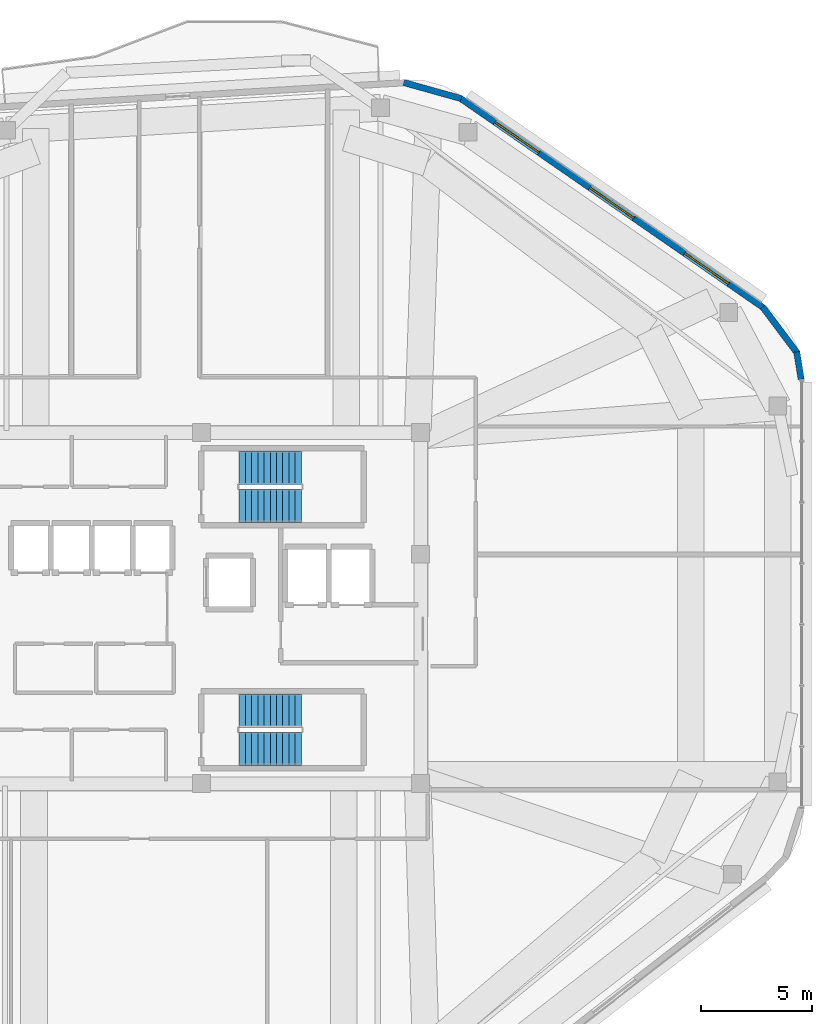
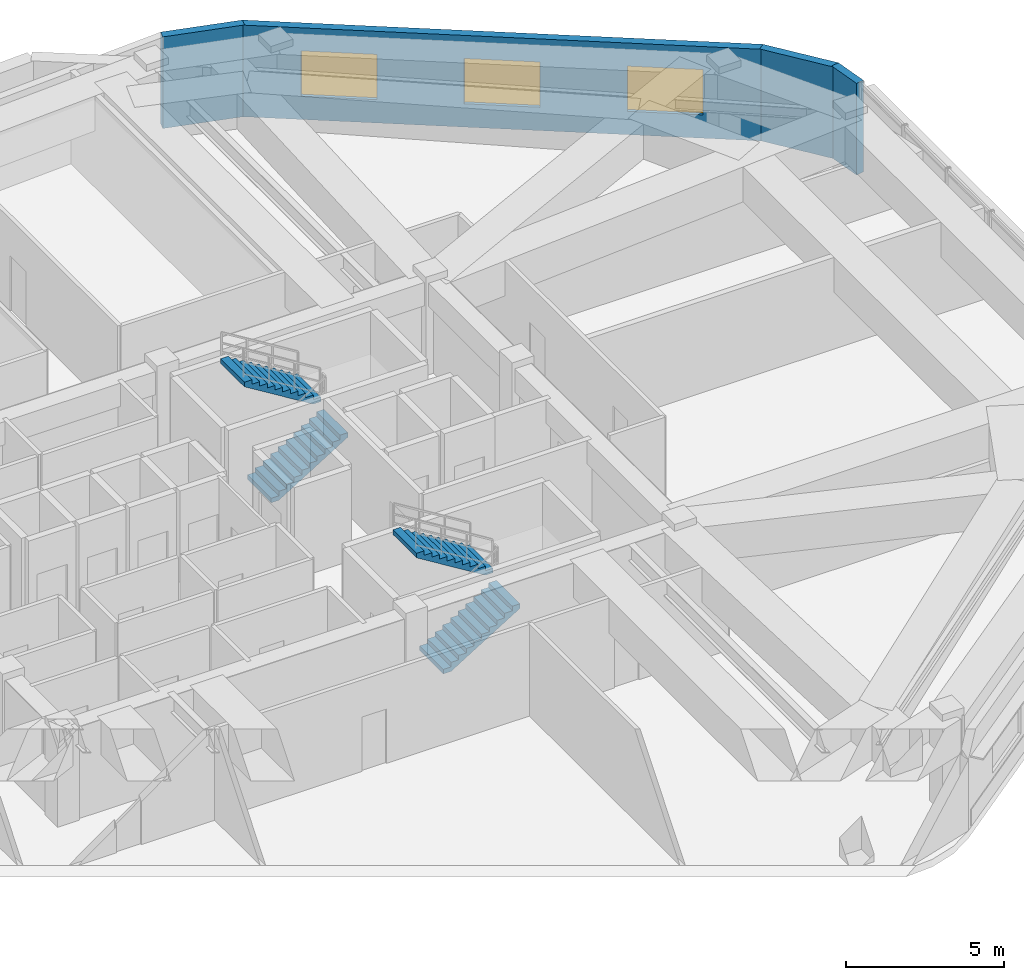
# One storey, part 12 of 15: 4 stair flights, 4 walls, 3 windows, 3 openings, 2 elements without a shape of their own.
"""IFC4 building model written with IfcOpenShell, lengths in metres."""

from ifc_helpers import new_model, si_unit, direction, frame, frame_2d, origin, place, context, subcontext, project, spatial, polyline, rectangle, outline, extrude, material, layer, layer_set, type_object, element, fill, aggregate, save


model = new_model("IFC4")

# Units and contexts
model_context = context("Model", 3, precision=1e-05, world=origin(), true_north=direction((0.0, 1.0)))
body_context = subcontext(model_context, "Body", "Model", "MODEL_VIEW")
ifc_project = project(units=[si_unit("LENGTHUNIT", "METRE"), si_unit("AREAUNIT", "SQUARE_METRE"), si_unit("VOLUMEUNIT", "CUBIC_METRE"), si_unit("PLANEANGLEUNIT", "RADIAN"), si_unit("MASSUNIT", "GRAM", prefix="KILO")], contexts=[model_context])

# Site, building, storey
site_placement = place(None, origin())
site = spatial("IfcSite", under=ifc_project, at=site_placement, CompositionType="ELEMENT")
building_placement = place(site_placement, origin())
building = spatial("IfcBuilding", under=site, at=building_placement, Name="Zulverin Broadcast Headquarters", CompositionType="ELEMENT")
storey_placement = place(building_placement, frame((0.0, 0.0, 270.60009765625)))
storey = spatial("IfcBuildingStorey", under=building, at=storey_placement, Name="L69", CompositionType="ELEMENT", Elevation=270.60009765625)

# Wall, openings, windows
ifc_material_1 = material(Name="Insulated pale-metal clad concrete spandrel C40/50", Category="concrete")
ifc_layer = layer(ifc_material_1, 0.280029296875, Name="Insulated pale-metal clad concrete spandrel C40/50", Category="concrete")
ifc_layer_set = layer_set([ifc_layer], Name="Insulated pale-metal clad concrete spandrel C40/50")
wall_type = type_object("IfcWallType", Name="WL-EXT-280", PredefinedType="STANDARD", material=ifc_layer_set)
wall_1_placement = place(storey_placement, frame((63.6513671875, 38.683349609375, 0.0), z_axis=(0.0, 0.0, 1.0), x_axis=(-0.822655095, 0.568540759022, 0.0)))
wall_1 = element("IfcWall", 1, at=wall_1_placement, inside=storey, type_object=wall_type, Name="L69 Pale-Metal Clad Spandrel Wall 4", PredefinedType="STANDARD", context=body_context, shape_type="SweptSolid", body=[
    extrude(rectangle(XDim=16.52783203125, YDim=0.280029296875, at=frame_2d((8.263916015625, 0.0))), origin(), (0.0, 0.0, 1.0), 3.539794921875),
])
opening_1_placement = place(wall_1_placement, frame((1.887939453125, 0.0, 0.89990234375)))
opening_1 = element("IfcOpeningElement", 2, at=opening_1_placement, cuts=wall_1, Name="Opening W-L69-E41", PredefinedType="OPENING", context=body_context, shape_type="SweptSolid", body=[
    extrude(rectangle(XDim=2.39990234375, YDim=1.75, at=frame_2d((1.199951171875, 0.875))), frame((0.0, 0.14990234375, 0.0), z_axis=(0.0, -1.0, 0.0), x_axis=(1.0, 0.0, 0.0)), (0.0, 0.0, 1.0), 0.300048828125),
])
opening_2_placement = place(wall_1_placement, frame((7.06396484375, 0.0, 0.89990234375)))
opening_2 = element("IfcOpeningElement", 3, at=opening_2_placement, cuts=wall_1, Name="Opening W-L69-E42", PredefinedType="OPENING", context=body_context, shape_type="SweptSolid", body=[
    extrude(rectangle(XDim=2.39990234375, YDim=1.75, at=frame_2d((1.199951171875, 0.875))), frame((0.0, 0.14990234375, 0.0), z_axis=(0.0, -1.0, 0.0), x_axis=(1.0, 0.0, 0.0)), (0.0, 0.0, 1.0), 0.300048828125),
])
opening_3_placement = place(wall_1_placement, frame((12.239990234375, 0.0, 0.89990234375)))
opening_3 = element("IfcOpeningElement", 4, at=opening_3_placement, cuts=wall_1, Name="Opening W-L69-E43", PredefinedType="OPENING", context=body_context, shape_type="SweptSolid", body=[
    extrude(rectangle(XDim=2.39990234375, YDim=1.75, at=frame_2d((1.199951171875, 0.875))), frame((0.0, 0.14990234375, 0.0), z_axis=(0.0, -1.0, 0.0), x_axis=(1.0, 0.0, 0.0)), (0.0, 0.0, 1.0), 0.300048828125),
])
ifc_material_2 = material(Name="Pale anodized aluminium frame with solar-control low-E double glazing", Category="aluminium")
window_type = type_object("IfcWindowType", Name="WIN-RIB-2400", PartitioningType="SINGLE_PANEL", PredefinedType="WINDOW", material=ifc_material_2)
window_1_placement = place(opening_1_placement, origin())
window_1 = element("IfcWindow", 5, at=window_1_placement, inside=storey, type_object=window_type, Name="L69 Ribbon Glazing Window 4 1", OverallHeight=1.75, OverallWidth=2.39990234375, PartitioningType="SINGLE_PANEL", PredefinedType="WINDOW", context=body_context, shape_type="SweptSolid", body=[
    extrude(rectangle(XDim=2.39990234375, YDim=1.75, at=frame_2d((1.199951171875, 0.875))), frame((0.0, 0.030029296875, 0.0), z_axis=(0.0, -1.0, 0.0), x_axis=(1.0, 0.0, 0.0)), (0.0, 0.0, 1.0), 0.06005859375),
])
fill(opening_1, window_1)
window_2_placement = place(opening_2_placement, origin())
window_2 = element("IfcWindow", 6, at=window_2_placement, inside=storey, type_object=window_type, Name="L69 Ribbon Glazing Window 4 2", OverallHeight=1.75, OverallWidth=2.39990234375, PartitioningType="SINGLE_PANEL", PredefinedType="WINDOW", context=body_context, shape_type="SweptSolid", body=[
    extrude(rectangle(XDim=2.39990234375, YDim=1.75, at=frame_2d((1.199951171875, 0.875))), frame((0.0, 0.030029296875, 0.0), z_axis=(0.0, -1.0, 0.0), x_axis=(1.0, 0.0, 0.0)), (0.0, 0.0, 1.0), 0.06005859375),
])
fill(opening_2, window_2)
window_3_placement = place(opening_3_placement, origin())
window_3 = element("IfcWindow", 7, at=window_3_placement, inside=storey, type_object=window_type, Name="L69 Ribbon Glazing Window 4 3", OverallHeight=1.75, OverallWidth=2.39990234375, PartitioningType="SINGLE_PANEL", PredefinedType="WINDOW", context=body_context, shape_type="SweptSolid", body=[
    extrude(rectangle(XDim=2.39990234375, YDim=1.75, at=frame_2d((1.199951171875, 0.875))), frame((0.0, 0.030029296875, 0.0), z_axis=(0.0, -1.0, 0.0), x_axis=(1.0, 0.0, 0.0)), (0.0, 0.0, 1.0), 0.06005859375),
])
fill(opening_3, window_3)

# Walls
wall_2_placement = place(storey_placement, frame((65.351318359375, 35.46728515625, 0.0), z_axis=(0.0, 0.0, 1.0), x_axis=(-0.160184333482, 0.987087118398, 0.0)))
element("IfcWall", 8, at=wall_2_placement, inside=storey, type_object=wall_type, Name="L69 Wind-Shaped Corner Spandrel Wall 3-1", PredefinedType="STANDARD", context=body_context, shape_type="SweptSolid", body=[
    extrude(rectangle(XDim=1.249755859375, YDim=0.280029296875, at=frame_2d((0.625, 0.0))), origin(), (0.0, 0.0, 1.0), 3.539794921875),
])
wall_3_placement = place(storey_placement, frame((65.17724609375, 36.63916015625, 0.0), z_axis=(0.0, 0.0, 1.0), x_axis=(-0.600436386467, 0.799672524104, 0.0)))
element("IfcWall", 9, at=wall_3_placement, inside=storey, type_object=wall_type, Name="L69 Wind-Shaped Corner Spandrel Wall 3-2", PredefinedType="STANDARD", context=body_context, shape_type="SweptSolid", body=[
    extrude(rectangle(XDim=2.595458984375, YDim=0.280029296875, at=frame_2d((1.2978515625, 0.0))), origin(), (0.0, 0.0, 1.0), 3.539794921875),
])
wall_4_placement = place(storey_placement, frame((50.096435546875, 48.060546875, 0.0), z_axis=(0.0, 0.0, 1.0), x_axis=(-0.963108887091, 0.269112005688, 0.0)))
element("IfcWall", 10, at=wall_4_placement, inside=storey, type_object=wall_type, Name="L69 Wind-Shaped Corner Spandrel Wall 4-1", PredefinedType="STANDARD", context=body_context, shape_type="SweptSolid", body=[
    extrude(rectangle(XDim=2.67529296875, YDim=0.280029296875, at=frame_2d((1.337646484375, 0.0))), origin(), (0.0, 0.0, 1.0), 3.539794921875),
])

# Stair, stair flights
ifc_material_3 = material(Name="Concrete C40/50", Category="concrete")
stair_type = type_object("IfcStairType", Name="ST-CORE-1500", PredefinedType="HALF_TURN_STAIR", material=ifc_material_3)
stair_1_placement = place(storey_placement, origin())
stair_1 = element("IfcStair", 11, at=stair_1_placement, inside=storey, type_object=stair_type, Name="L69 Core Exit Stair ST-1", PredefinedType="HALF_TURN_STAIR")
stair_flight_type = type_object("IfcStairFlightType", Name="SF-CORE-1500", PredefinedType="STRAIGHT", material=ifc_material_3)
stair_flight_1_placement = place(storey_placement, frame((40.1298828125, 29.800048828125, 0.0), z_axis=(0.0, 0.0, 1.0), x_axis=(1.0, 0.0, 0.0)))
stair_flight_1 = element("IfcStairFlight", 12, at=stair_flight_1_placement, type_object=stair_flight_type, Name="ST-1 flight 1", NumberOfRisers=11, NumberOfTreads=10, PredefinedType="STRAIGHT", RiserHeight=0.172727273, TreadLength=0.28, context=body_context, shape_type="SweptSolid", body=[
    extrude(outline(polyline([(0.0, 0.0), (0.0, 0.172607421875), (0.280029296875, 0.172607421875), (0.280029296875, 0.345458984375), (0.56005859375, 0.345458984375), (0.56005859375, 0.51806640625), (0.840087890625, 0.51806640625), (0.840087890625, 0.69091796875), (1.1201171875, 0.69091796875), (1.1201171875, 0.863525390625), (1.39990234375, 0.863525390625), (1.39990234375, 1.036376953125), (1.679931640625, 1.036376953125), (1.679931640625, 1.208984375), (1.9599609375, 1.208984375), (1.9599609375, 1.3818359375), (2.239990234375, 1.3818359375), (2.239990234375, 1.554443359375), (2.52001953125, 1.554443359375), (2.52001953125, 1.727294921875), (2.800048828125, 1.727294921875), (2.800048828125, 1.89990234375), (2.800048828125, 1.551025390625), (0.285400390625, 0.0), (0.0, 0.0)])), frame((0.0, 0.75, 0.0), z_axis=(0.0, -1.0, 0.0), x_axis=(1.0, 0.0, 0.0)), (0.0, 0.0, 1.0), 1.5),
])
stair_flight_2_placement = place(storey_placement, frame((42.929931640625, 31.5, 1.89990234375), z_axis=(0.0, 0.0, 1.0), x_axis=(-1.0, 0.0, 0.0)))
stair_flight_2 = element("IfcStairFlight", 13, at=stair_flight_2_placement, type_object=stair_flight_type, Name="ST-1 flight 2", NumberOfRisers=11, NumberOfTreads=10, PredefinedType="STRAIGHT", RiserHeight=0.172727273, TreadLength=0.28, context=body_context, shape_type="SweptSolid", body=[
    extrude(outline(polyline([(0.0, 0.0), (0.0, 0.172607421875), (0.280029296875, 0.172607421875), (0.280029296875, 0.345458984375), (0.56005859375, 0.345458984375), (0.56005859375, 0.51806640625), (0.840087890625, 0.51806640625), (0.840087890625, 0.69091796875), (1.1201171875, 0.69091796875), (1.1201171875, 0.863525390625), (1.39990234375, 0.863525390625), (1.39990234375, 1.036376953125), (1.679931640625, 1.036376953125), (1.679931640625, 1.208984375), (1.9599609375, 1.208984375), (1.9599609375, 1.3818359375), (2.239990234375, 1.3818359375), (2.239990234375, 1.554443359375), (2.52001953125, 1.554443359375), (2.52001953125, 1.727294921875), (2.800048828125, 1.727294921875), (2.800048828125, 1.89990234375), (2.800048828125, 1.551025390625), (0.285400390625, 0.0), (0.0, 0.0)])), frame((0.0, 0.75, 0.0), z_axis=(0.0, -1.0, 0.0), x_axis=(1.0, 0.0, 0.0)), (0.0, 0.0, 1.0), 1.5),
])
aggregate(stair_1, [stair_flight_1, stair_flight_2])

stair_2_placement = place(storey_placement, origin())
stair_2 = element("IfcStair", 14, at=stair_2_placement, inside=storey, type_object=stair_type, Name="L69 Core Exit Stair ST-2", PredefinedType="HALF_TURN_STAIR")
stair_flight_3_placement = place(storey_placement, frame((40.1298828125, 18.89990234375, 0.0), z_axis=(0.0, 0.0, 1.0), x_axis=(1.0, 0.0, 0.0)))
stair_flight_3 = element("IfcStairFlight", 15, at=stair_flight_3_placement, type_object=stair_flight_type, Name="ST-2 flight 1", NumberOfRisers=11, NumberOfTreads=10, PredefinedType="STRAIGHT", RiserHeight=0.172727273, TreadLength=0.28, context=body_context, shape_type="SweptSolid", body=[
    extrude(outline(polyline([(0.0, 0.0), (0.0, 0.172607421875), (0.280029296875, 0.172607421875), (0.280029296875, 0.345458984375), (0.56005859375, 0.345458984375), (0.56005859375, 0.51806640625), (0.840087890625, 0.51806640625), (0.840087890625, 0.69091796875), (1.1201171875, 0.69091796875), (1.1201171875, 0.863525390625), (1.39990234375, 0.863525390625), (1.39990234375, 1.036376953125), (1.679931640625, 1.036376953125), (1.679931640625, 1.208984375), (1.9599609375, 1.208984375), (1.9599609375, 1.3818359375), (2.239990234375, 1.3818359375), (2.239990234375, 1.554443359375), (2.52001953125, 1.554443359375), (2.52001953125, 1.727294921875), (2.800048828125, 1.727294921875), (2.800048828125, 1.89990234375), (2.800048828125, 1.551025390625), (0.285400390625, 0.0), (0.0, 0.0)])), frame((0.0, 0.75, 0.0), z_axis=(0.0, -1.0, 0.0), x_axis=(1.0, 0.0, 0.0)), (0.0, 0.0, 1.0), 1.5),
])
stair_flight_4_placement = place(storey_placement, frame((42.929931640625, 20.60009765625, 1.89990234375), z_axis=(0.0, 0.0, 1.0), x_axis=(-1.0, 0.0, 0.0)))
stair_flight_4 = element("IfcStairFlight", 16, at=stair_flight_4_placement, type_object=stair_flight_type, Name="ST-2 flight 2", NumberOfRisers=11, NumberOfTreads=10, PredefinedType="STRAIGHT", RiserHeight=0.172727273, TreadLength=0.28, context=body_context, shape_type="SweptSolid", body=[
    extrude(outline(polyline([(0.0, 0.0), (0.0, 0.172607421875), (0.280029296875, 0.172607421875), (0.280029296875, 0.345458984375), (0.56005859375, 0.345458984375), (0.56005859375, 0.51806640625), (0.840087890625, 0.51806640625), (0.840087890625, 0.69091796875), (1.1201171875, 0.69091796875), (1.1201171875, 0.863525390625), (1.39990234375, 0.863525390625), (1.39990234375, 1.036376953125), (1.679931640625, 1.036376953125), (1.679931640625, 1.208984375), (1.9599609375, 1.208984375), (1.9599609375, 1.3818359375), (2.239990234375, 1.3818359375), (2.239990234375, 1.554443359375), (2.52001953125, 1.554443359375), (2.52001953125, 1.727294921875), (2.800048828125, 1.727294921875), (2.800048828125, 1.89990234375), (2.800048828125, 1.551025390625), (0.285400390625, 0.0), (0.0, 0.0)])), frame((0.0, 0.75, 0.0), z_axis=(0.0, -1.0, 0.0), x_axis=(1.0, 0.0, 0.0)), (0.0, 0.0, 1.0), 1.5),
])
aggregate(stair_2, [stair_flight_3, stair_flight_4])

save(model, "model.ifc")
